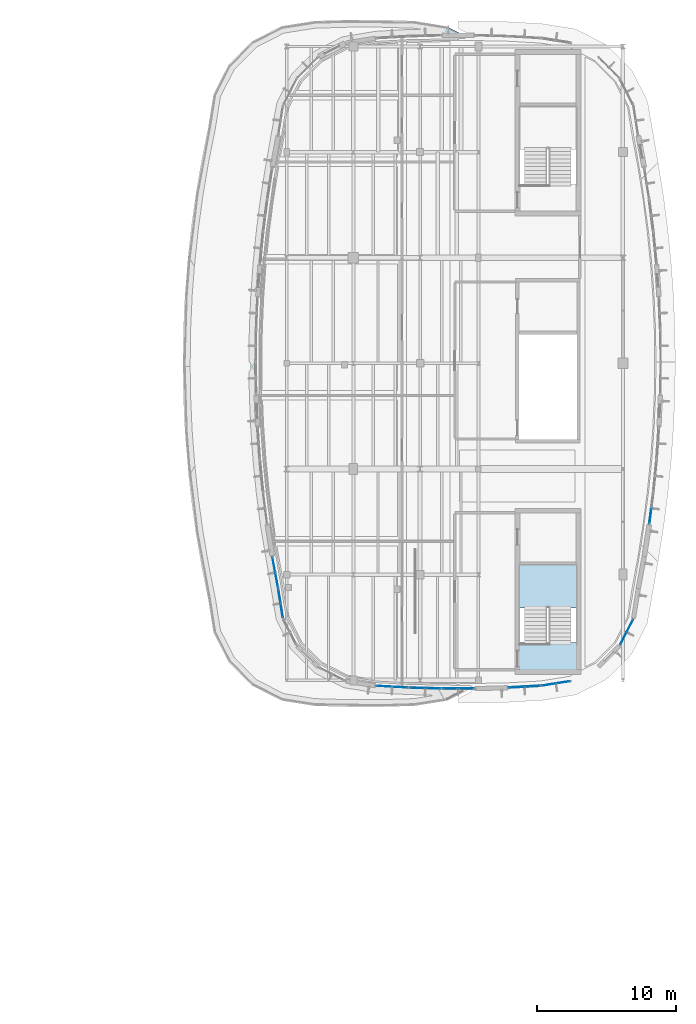
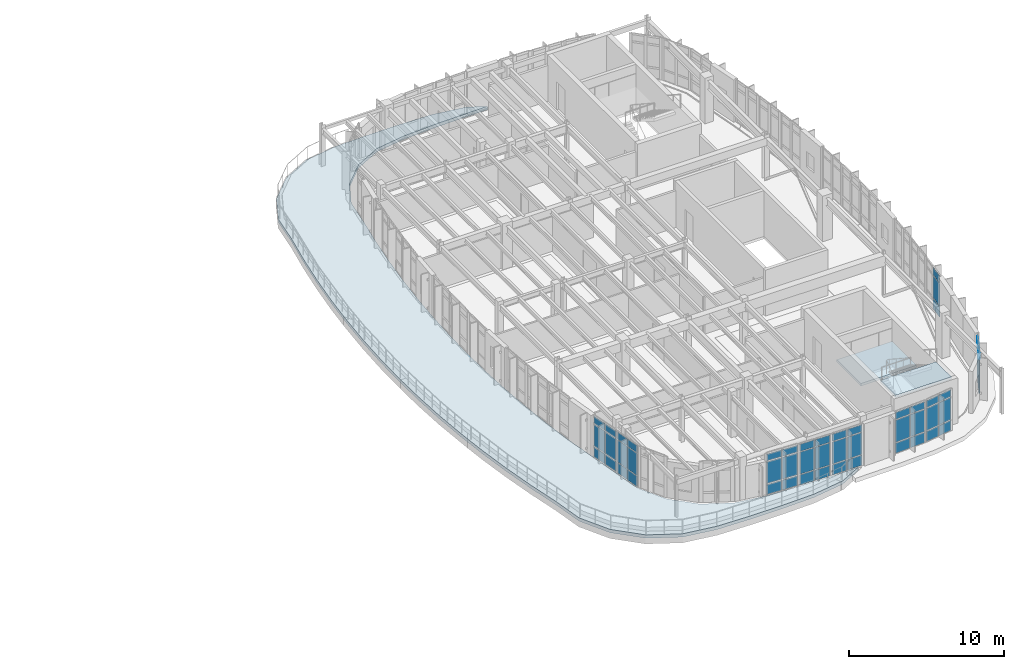
# One storey, part 19 of 30: 51 plates, 3 slabs, 10 elements without a shape of their own.
"""IFC4 building model written with IfcOpenShell, lengths in metres."""

from ifc_helpers import new_model, si_unit, direction, frame, origin, origin_2d, place, context, subcontext, project, spatial, polyline, rectangle, outline, extrude, material, layer, layer_set, type_object, element, aggregate, save


model = new_model("IFC4")

# Units and contexts
model_context = context("Model", 3, precision=1e-05, world=origin(), true_north=direction((0.0, 1.0)))
body_context = subcontext(model_context, "Body", "Model", "MODEL_VIEW")
ifc_project = project(units=[si_unit("LENGTHUNIT", "METRE"), si_unit("AREAUNIT", "SQUARE_METRE"), si_unit("VOLUMEUNIT", "CUBIC_METRE"), si_unit("PLANEANGLEUNIT", "RADIAN"), si_unit("MASSUNIT", "GRAM", prefix="KILO")], contexts=[model_context])

# Site, building, storey
site_placement = place(None, origin())
site = spatial("IfcSite", under=ifc_project, at=site_placement, CompositionType="ELEMENT")
building_placement = place(site_placement, origin())
building = spatial("IfcBuilding", under=site, at=building_placement, Name="Corveleigh Park Community Centre", CompositionType="ELEMENT")
storey_placement = place(building_placement, frame((0.0, 0.0, 12.60009765625)))
storey = spatial("IfcBuildingStorey", under=building, at=storey_placement, Name="L03", CompositionType="ELEMENT", Elevation=12.60009765625)

# Curtain wall, plates
ifc_material_1 = material(Name="Anodised aluminium 6063-T6", Category="aluminium")
curtain_wall_type = type_object("IfcCurtainWallType", Name="CW-SYS-V4-L03", PredefinedType="NOTDEFINED", material=ifc_material_1)
curtain_wall_1_placement = place(storey_placement, origin())
curtain_wall_1 = element("IfcCurtainWall", 1, at=curtain_wall_1_placement, inside=storey, type_object=curtain_wall_type, Name="V4 L03 Curtain Wall 400", PredefinedType="NOTDEFINED")
ifc_material_2 = material(Name="Low-E double glazing", Category="glass")
ifc_layer_1 = layer(ifc_material_2, 0.028076171875, Name="Low-E double glazing", Category="glass")
ifc_layer_set_1 = layer_set([ifc_layer_1], Name="Low-E double glazing")
plate_type_1 = type_object("IfcPlateType", Name="CWP-GLZ-28", PredefinedType="CURTAIN_PANEL", material=ifc_layer_set_1)
plate_1_placement = place(storey_placement, frame((152.362060546875, 58.100341796875, 0.080078125), z_axis=(0.0, 0.0, 1.0), x_axis=(-0.998406359706, 0.056433508651, 0.0)))
plate_1 = element("IfcPlate", 2, at=plate_1_placement, type_object=plate_type_1, Name="CW09 panel 1.1", PredefinedType="CURTAIN_PANEL", context=body_context, shape_type="SweptSolid", body=[
    extrude(rectangle(XDim=1.06591796875, YDim=0.028076171875, at=origin_2d()), origin(), (0.0, 0.0, 1.0), 0.780029296875),
])
plate_2_placement = place(storey_placement, frame((152.362060546875, 58.100341796875, 0.93994140625), z_axis=(0.0, 0.0, 1.0), x_axis=(-0.998406359706, 0.056433508651, 0.0)))
plate_2 = element("IfcPlate", 3, at=plate_2_placement, type_object=plate_type_1, Name="CW09 panel 1.2", PredefinedType="CURTAIN_PANEL", context=body_context, shape_type="SweptSolid", body=[
    extrude(rectangle(XDim=1.06591796875, YDim=0.028076171875, at=origin_2d()), origin(), (0.0, 0.0, 1.0), 1.70703125),
])
plate_3_placement = place(storey_placement, frame((152.362060546875, 58.100341796875, 2.72705078125), z_axis=(0.0, 0.0, 1.0), x_axis=(-0.998406359706, 0.056433508651, 0.0)))
plate_3 = element("IfcPlate", 4, at=plate_3_placement, type_object=plate_type_1, Name="CW09 panel 1.3", PredefinedType="CURTAIN_PANEL", context=body_context, shape_type="SweptSolid", body=[
    extrude(rectangle(XDim=1.06591796875, YDim=0.028076171875, at=origin_2d()), origin(), (0.0, 0.0, 1.0), 0.530029296875),
])
plate_4_placement = place(storey_placement, frame((151.222900390625, 58.164794921875, 0.080078125), z_axis=(0.0, 0.0, 1.0), x_axis=(-0.998406359706, 0.056433508651, 0.0)))
plate_4 = element("IfcPlate", 5, at=plate_4_placement, type_object=plate_type_1, Name="CW09 panel 2.1", PredefinedType="CURTAIN_PANEL", context=body_context, shape_type="SweptSolid", body=[
    extrude(rectangle(XDim=1.06591796875, YDim=0.028076171875, at=origin_2d()), origin(), (0.0, 0.0, 1.0), 0.780029296875),
])
plate_5_placement = place(storey_placement, frame((151.222900390625, 58.164794921875, 0.93994140625), z_axis=(0.0, 0.0, 1.0), x_axis=(-0.998406359706, 0.056433508651, 0.0)))
plate_5 = element("IfcPlate", 6, at=plate_5_placement, type_object=plate_type_1, Name="CW09 panel 2.2", PredefinedType="CURTAIN_PANEL", context=body_context, shape_type="SweptSolid", body=[
    extrude(rectangle(XDim=1.06591796875, YDim=0.028076171875, at=origin_2d()), origin(), (0.0, 0.0, 1.0), 1.70703125),
])
plate_6_placement = place(storey_placement, frame((151.222900390625, 58.164794921875, 2.72705078125), z_axis=(0.0, 0.0, 1.0), x_axis=(-0.998406359706, 0.056433508651, 0.0)))
plate_6 = element("IfcPlate", 7, at=plate_6_placement, type_object=plate_type_1, Name="CW09 panel 2.3", PredefinedType="CURTAIN_PANEL", context=body_context, shape_type="SweptSolid", body=[
    extrude(rectangle(XDim=1.06591796875, YDim=0.028076171875, at=origin_2d()), origin(), (0.0, 0.0, 1.0), 0.530029296875),
])
aggregate(curtain_wall_1, [plate_1, plate_2, plate_3, plate_4, plate_5, plate_6])

curtain_wall_2_placement = place(storey_placement, origin())
curtain_wall_2 = element("IfcCurtainWall", 8, at=curtain_wall_2_placement, inside=storey, type_object=curtain_wall_type, Name="V4 L03 Curtain Wall 435", PredefinedType="NOTDEFINED")
plate_7_placement = place(storey_placement, frame((143.48828125, 65.797607421875, 0.080078125), z_axis=(0.0, 0.0, 1.0), x_axis=(-0.18319789997, 0.983076054762, 0.0)))
plate_7 = element("IfcPlate", 9, at=plate_7_placement, type_object=plate_type_1, Name="CW09 panel 1.1", PredefinedType="CURTAIN_PANEL", context=body_context, shape_type="SweptSolid", body=[
    extrude(rectangle(XDim=1.0576171875, YDim=0.028076171875, at=origin_2d()), origin(), (0.0, 0.0, 1.0), 0.780029296875),
])
plate_8_placement = place(storey_placement, frame((143.48828125, 65.797607421875, 0.93994140625), z_axis=(0.0, 0.0, 1.0), x_axis=(-0.18319789997, 0.983076054762, 0.0)))
plate_8 = element("IfcPlate", 10, at=plate_8_placement, type_object=plate_type_1, Name="CW09 panel 1.2", PredefinedType="CURTAIN_PANEL", context=body_context, shape_type="SweptSolid", body=[
    extrude(rectangle(XDim=1.0576171875, YDim=0.028076171875, at=origin_2d()), origin(), (0.0, 0.0, 1.0), 1.70703125),
])
plate_9_placement = place(storey_placement, frame((143.48828125, 65.797607421875, 2.72705078125), z_axis=(0.0, 0.0, 1.0), x_axis=(-0.18319789997, 0.983076054762, 0.0)))
plate_9 = element("IfcPlate", 11, at=plate_9_placement, type_object=plate_type_1, Name="CW09 panel 1.3", PredefinedType="CURTAIN_PANEL", context=body_context, shape_type="SweptSolid", body=[
    extrude(rectangle(XDim=1.0576171875, YDim=0.028076171875, at=origin_2d()), origin(), (0.0, 0.0, 1.0), 0.530029296875),
])
plate_10_placement = place(storey_placement, frame((143.28173828125, 66.90625, 0.080078125), z_axis=(0.0, 0.0, 1.0), x_axis=(-0.18319789997, 0.983076054762, 0.0)))
plate_10 = element("IfcPlate", 12, at=plate_10_placement, type_object=plate_type_1, Name="CW09 panel 2.1", PredefinedType="CURTAIN_PANEL", context=body_context, shape_type="SweptSolid", body=[
    extrude(rectangle(XDim=1.0576171875, YDim=0.028076171875, at=origin_2d()), origin(), (0.0, 0.0, 1.0), 0.780029296875),
])
plate_11_placement = place(storey_placement, frame((143.28173828125, 66.90625, 0.93994140625), z_axis=(0.0, 0.0, 1.0), x_axis=(-0.18319789997, 0.983076054762, 0.0)))
plate_11 = element("IfcPlate", 13, at=plate_11_placement, type_object=plate_type_1, Name="CW09 panel 2.2", PredefinedType="CURTAIN_PANEL", context=body_context, shape_type="SweptSolid", body=[
    extrude(rectangle(XDim=1.0576171875, YDim=0.028076171875, at=origin_2d()), origin(), (0.0, 0.0, 1.0), 1.70703125),
])
plate_12_placement = place(storey_placement, frame((143.28173828125, 66.90625, 2.72705078125), z_axis=(0.0, 0.0, 1.0), x_axis=(-0.18319789997, 0.983076054762, 0.0)))
plate_12 = element("IfcPlate", 14, at=plate_12_placement, type_object=plate_type_1, Name="CW09 panel 2.3", PredefinedType="CURTAIN_PANEL", context=body_context, shape_type="SweptSolid", body=[
    extrude(rectangle(XDim=1.0576171875, YDim=0.028076171875, at=origin_2d()), origin(), (0.0, 0.0, 1.0), 0.530029296875),
])
aggregate(curtain_wall_2, [plate_7, plate_8, plate_9, plate_10, plate_11, plate_12])

curtain_wall_3_placement = place(storey_placement, origin())
curtain_wall_3 = element("IfcCurtainWall", 15, at=curtain_wall_3_placement, inside=storey, type_object=curtain_wall_type, Name="V4 L03 Curtain Wall 436", PredefinedType="NOTDEFINED")
plate_13_placement = place(storey_placement, frame((143.85009765625, 63.62255859375, 0.059814453125), z_axis=(0.0, 0.0, 1.0), x_axis=(-0.15682535618, 0.987626350225, 0.0)))
plate_13 = element("IfcPlate", 16, at=plate_13_placement, type_object=plate_type_1, Name="CW09 panel 1.1", PredefinedType="CURTAIN_PANEL", context=body_context, shape_type="SweptSolid", body=[
    extrude(rectangle(XDim=0.958740234375, YDim=0.028076171875, at=origin_2d()), origin(), (0.0, 0.0, 1.0), 0.81005859375),
])
plate_14_placement = place(storey_placement, frame((143.85009765625, 63.62255859375, 0.929931640625), z_axis=(0.0, 0.0, 1.0), x_axis=(-0.15682535618, 0.987626350225, 0.0)))
plate_14 = element("IfcPlate", 17, at=plate_14_placement, type_object=plate_type_1, Name="CW09 panel 1.2", PredefinedType="CURTAIN_PANEL", context=body_context, shape_type="SweptSolid", body=[
    extrude(rectangle(XDim=0.958740234375, YDim=0.028076171875, at=origin_2d()), origin(), (0.0, 0.0, 1.0), 1.72705078125),
])
plate_15_placement = place(storey_placement, frame((143.85009765625, 63.62255859375, 2.716796875), z_axis=(0.0, 0.0, 1.0), x_axis=(-0.15682535618, 0.987626350225, 0.0)))
plate_15 = element("IfcPlate", 18, at=plate_15_placement, type_object=plate_type_1, Name="CW09 panel 1.3", PredefinedType="CURTAIN_PANEL", context=body_context, shape_type="SweptSolid", body=[
    extrude(rectangle(XDim=0.958740234375, YDim=0.028076171875, at=origin_2d()), origin(), (0.0, 0.0, 1.0), 0.56005859375),
])
plate_16_placement = place(storey_placement, frame((143.68798828125, 64.6435546875, 0.059814453125), z_axis=(0.0, 0.0, 1.0), x_axis=(-0.15682535618, 0.987626350225, 0.0)))
plate_16 = element("IfcPlate", 19, at=plate_16_placement, type_object=plate_type_1, Name="CW09 panel 2.1", PredefinedType="CURTAIN_PANEL", context=body_context, shape_type="SweptSolid", body=[
    extrude(rectangle(XDim=0.958740234375, YDim=0.028076171875, at=origin_2d()), origin(), (0.0, 0.0, 1.0), 0.81005859375),
])
plate_17_placement = place(storey_placement, frame((143.68798828125, 64.6435546875, 0.929931640625), z_axis=(0.0, 0.0, 1.0), x_axis=(-0.15682535618, 0.987626350225, 0.0)))
plate_17 = element("IfcPlate", 20, at=plate_17_placement, type_object=plate_type_1, Name="CW09 panel 2.2", PredefinedType="CURTAIN_PANEL", context=body_context, shape_type="SweptSolid", body=[
    extrude(rectangle(XDim=0.958740234375, YDim=0.028076171875, at=origin_2d()), origin(), (0.0, 0.0, 1.0), 1.72705078125),
])
plate_18_placement = place(storey_placement, frame((143.68798828125, 64.6435546875, 2.716796875), z_axis=(0.0, 0.0, 1.0), x_axis=(-0.15682535618, 0.987626350225, 0.0)))
plate_18 = element("IfcPlate", 21, at=plate_18_placement, type_object=plate_type_1, Name="CW09 panel 2.3", PredefinedType="CURTAIN_PANEL", context=body_context, shape_type="SweptSolid", body=[
    extrude(rectangle(XDim=0.958740234375, YDim=0.028076171875, at=origin_2d()), origin(), (0.0, 0.0, 1.0), 0.56005859375),
])
aggregate(curtain_wall_3, [plate_13, plate_14, plate_15, plate_16, plate_17, plate_18])

curtain_wall_4_placement = place(storey_placement, origin())
curtain_wall_4 = element("IfcCurtainWall", 22, at=curtain_wall_4_placement, inside=storey, type_object=curtain_wall_type, Name="V4 L03 Curtain Wall 401", PredefinedType="NOTDEFINED")
ifc_layer_2 = layer(ifc_material_2, 0.031982421875, Name="Low-E double glazing", Category="glass")
ifc_layer_set_2 = layer_set([ifc_layer_2], Name="Low-E double glazing")
plate_type_2 = type_object("IfcPlateType", Name="CWP-GLZ-32", PredefinedType="CURTAIN_PANEL", material=ifc_layer_set_2)
plate_19_placement = place(storey_placement, frame((154.7392578125, 58.0146484375, 0.059814453125), z_axis=(0.0, 0.0, 1.0), x_axis=(-0.999586199744, 0.028765070498, 0.0)))
plate_19 = element("IfcPlate", 23, at=plate_19_placement, type_object=plate_type_2, Name="CW09 panel 1.1", PredefinedType="CURTAIN_PANEL", context=body_context, shape_type="SweptSolid", body=[
    extrude(rectangle(XDim=1.06201171875, YDim=0.031982421875, at=origin_2d()), origin(), (0.0, 0.0, 1.0), 0.81005859375),
])
plate_20_placement = place(storey_placement, frame((154.7392578125, 58.0146484375, 0.929931640625), z_axis=(0.0, 0.0, 1.0), x_axis=(-0.999586199744, 0.028765070498, 0.0)))
plate_20 = element("IfcPlate", 24, at=plate_20_placement, type_object=plate_type_2, Name="CW09 panel 1.2", PredefinedType="CURTAIN_PANEL", context=body_context, shape_type="SweptSolid", body=[
    extrude(rectangle(XDim=1.06201171875, YDim=0.031982421875, at=origin_2d()), origin(), (0.0, 0.0, 1.0), 1.72705078125),
])
plate_21_placement = place(storey_placement, frame((154.7392578125, 58.0146484375, 2.716796875), z_axis=(0.0, 0.0, 1.0), x_axis=(-0.999586199744, 0.028765070498, 0.0)))
plate_21 = element("IfcPlate", 25, at=plate_21_placement, type_object=plate_type_2, Name="CW09 panel 1.3", PredefinedType="CURTAIN_PANEL", context=body_context, shape_type="SweptSolid", body=[
    extrude(rectangle(XDim=1.06201171875, YDim=0.031982421875, at=origin_2d()), origin(), (0.0, 0.0, 1.0), 0.56005859375),
])
plate_22_placement = place(storey_placement, frame((153.59765625, 58.04736328125, 0.059814453125), z_axis=(0.0, 0.0, 1.0), x_axis=(-0.999586199744, 0.028765070498, 0.0)))
plate_22 = element("IfcPlate", 26, at=plate_22_placement, type_object=plate_type_2, Name="CW09 panel 2.1", PredefinedType="CURTAIN_PANEL", context=body_context, shape_type="SweptSolid", body=[
    extrude(rectangle(XDim=1.06201171875, YDim=0.031982421875, at=origin_2d()), origin(), (0.0, 0.0, 1.0), 0.81005859375),
])
plate_23_placement = place(storey_placement, frame((153.59765625, 58.04736328125, 0.929931640625), z_axis=(0.0, 0.0, 1.0), x_axis=(-0.999586199744, 0.028765070498, 0.0)))
plate_23 = element("IfcPlate", 27, at=plate_23_placement, type_object=plate_type_2, Name="CW09 panel 2.2", PredefinedType="CURTAIN_PANEL", context=body_context, shape_type="SweptSolid", body=[
    extrude(rectangle(XDim=1.06201171875, YDim=0.031982421875, at=origin_2d()), origin(), (0.0, 0.0, 1.0), 1.72705078125),
])
plate_24_placement = place(storey_placement, frame((153.59765625, 58.04736328125, 2.716796875), z_axis=(0.0, 0.0, 1.0), x_axis=(-0.999586199744, 0.028765070498, 0.0)))
plate_24 = element("IfcPlate", 28, at=plate_24_placement, type_object=plate_type_2, Name="CW09 panel 2.3", PredefinedType="CURTAIN_PANEL", context=body_context, shape_type="SweptSolid", body=[
    extrude(rectangle(XDim=1.06201171875, YDim=0.031982421875, at=origin_2d()), origin(), (0.0, 0.0, 1.0), 0.56005859375),
])
aggregate(curtain_wall_4, [plate_19, plate_20, plate_21, plate_22, plate_23, plate_24])

curtain_wall_5_placement = place(storey_placement, origin())
curtain_wall_5 = element("IfcCurtainWall", 29, at=curtain_wall_5_placement, inside=storey, type_object=curtain_wall_type, Name="V4 L03 Curtain Wall 402", PredefinedType="NOTDEFINED")
plate_25_placement = place(storey_placement, frame((157.11962890625, 57.9970703125, 0.06494140625), z_axis=(0.0, 0.0, 1.0), x_axis=(-1.0, 0.0, 0.0)))
plate_25 = element("IfcPlate", 30, at=plate_25_placement, type_object=plate_type_2, Name="CW09 panel 1.1", PredefinedType="CURTAIN_PANEL", context=body_context, shape_type="SweptSolid", body=[
    extrude(rectangle(XDim=1.054443359375, YDim=0.031982421875, at=origin_2d()), origin(), (0.0, 0.0, 1.0), 0.802490234375),
])
plate_26_placement = place(storey_placement, frame((157.11962890625, 57.9970703125, 0.9326171875), z_axis=(0.0, 0.0, 1.0), x_axis=(-1.0, 0.0, 0.0)))
plate_26 = element("IfcPlate", 31, at=plate_26_placement, type_object=plate_type_2, Name="CW09 panel 1.2", PredefinedType="CURTAIN_PANEL", context=body_context, shape_type="SweptSolid", body=[
    extrude(rectangle(XDim=1.054443359375, YDim=0.031982421875, at=origin_2d()), origin(), (0.0, 0.0, 1.0), 1.721923828125),
])
plate_27_placement = place(storey_placement, frame((157.11962890625, 57.9970703125, 2.71923828125), z_axis=(0.0, 0.0, 1.0), x_axis=(-1.0, 0.0, 0.0)))
plate_27 = element("IfcPlate", 32, at=plate_27_placement, type_object=plate_type_2, Name="CW09 panel 1.3", PredefinedType="CURTAIN_PANEL", context=body_context, shape_type="SweptSolid", body=[
    extrude(rectangle(XDim=1.054443359375, YDim=0.031982421875, at=origin_2d()), origin(), (0.0, 0.0, 1.0), 0.552490234375),
])
plate_28_placement = place(storey_placement, frame((155.980224609375, 57.9970703125, 0.06494140625), z_axis=(0.0, 0.0, 1.0), x_axis=(-1.0, 0.0, 0.0)))
plate_28 = element("IfcPlate", 33, at=plate_28_placement, type_object=plate_type_2, Name="CW09 panel 2.1", PredefinedType="CURTAIN_PANEL", context=body_context, shape_type="SweptSolid", body=[
    extrude(rectangle(XDim=1.054443359375, YDim=0.031982421875, at=origin_2d()), origin(), (0.0, 0.0, 1.0), 0.802490234375),
])
plate_29_placement = place(storey_placement, frame((155.980224609375, 57.9970703125, 0.9326171875), z_axis=(0.0, 0.0, 1.0), x_axis=(-1.0, 0.0, 0.0)))
plate_29 = element("IfcPlate", 34, at=plate_29_placement, type_object=plate_type_2, Name="CW09 panel 2.2", PredefinedType="CURTAIN_PANEL", context=body_context, shape_type="SweptSolid", body=[
    extrude(rectangle(XDim=1.054443359375, YDim=0.031982421875, at=origin_2d()), origin(), (0.0, 0.0, 1.0), 1.721923828125),
])
plate_30_placement = place(storey_placement, frame((155.980224609375, 57.9970703125, 2.71923828125), z_axis=(0.0, 0.0, 1.0), x_axis=(-1.0, 0.0, 0.0)))
plate_30 = element("IfcPlate", 35, at=plate_30_placement, type_object=plate_type_2, Name="CW09 panel 2.3", PredefinedType="CURTAIN_PANEL", context=body_context, shape_type="SweptSolid", body=[
    extrude(rectangle(XDim=1.054443359375, YDim=0.031982421875, at=origin_2d()), origin(), (0.0, 0.0, 1.0), 0.552490234375),
])
aggregate(curtain_wall_5, [plate_25, plate_26, plate_27, plate_28, plate_29, plate_30])

curtain_wall_6_placement = place(storey_placement, origin())
curtain_wall_6 = element("IfcCurtainWall", 36, at=curtain_wall_6_placement, inside=storey, type_object=curtain_wall_type, Name="V4 L03 Curtain Wall 403", PredefinedType="NOTDEFINED")
ifc_layer_3 = layer(ifc_material_2, 0.035888671875, Name="Low-E double glazing", Category="glass")
ifc_layer_set_3 = layer_set([ifc_layer_3], Name="Low-E double glazing")
plate_type_3 = type_object("IfcPlateType", Name="CWP-GLZ-36", PredefinedType="CURTAIN_PANEL", material=ifc_layer_set_3)
plate_31_placement = place(storey_placement, frame((161.880859375, 58.164794921875, 0.06982421875), z_axis=(0.0, 0.0, 1.0), x_axis=(-0.998406359706, -0.056433508651, 0.0)))
plate_31 = element("IfcPlate", 37, at=plate_31_placement, type_object=plate_type_3, Name="CW09 panel 1.1", PredefinedType="CURTAIN_PANEL", context=body_context, shape_type="SweptSolid", body=[
    extrude(rectangle(XDim=1.08837890625, YDim=0.035888671875, at=origin_2d()), origin(), (0.0, 0.0, 1.0), 0.794921875),
])
plate_32_placement = place(storey_placement, frame((161.880859375, 58.164794921875, 0.93505859375), z_axis=(0.0, 0.0, 1.0), x_axis=(-0.998406359706, -0.056433508651, 0.0)))
plate_32 = element("IfcPlate", 38, at=plate_32_placement, type_object=plate_type_3, Name="CW09 panel 1.2", PredefinedType="CURTAIN_PANEL", context=body_context, shape_type="SweptSolid", body=[
    extrude(rectangle(XDim=1.08837890625, YDim=0.035888671875, at=origin_2d()), origin(), (0.0, 0.0, 1.0), 1.737060546875),
])
plate_33_placement = place(storey_placement, frame((161.880859375, 58.164794921875, 2.741943359375), z_axis=(0.0, 0.0, 1.0), x_axis=(-0.998406359706, -0.056433508651, 0.0)))
plate_33 = element("IfcPlate", 39, at=plate_33_placement, type_object=plate_type_3, Name="CW09 panel 1.3", PredefinedType="CURTAIN_PANEL", context=body_context, shape_type="SweptSolid", body=[
    extrude(rectangle(XDim=1.08837890625, YDim=0.035888671875, at=origin_2d()), origin(), (0.0, 0.0, 1.0), 0.544921875),
])
plate_34_placement = place(storey_placement, frame((160.734130859375, 58.10009765625, 0.06982421875), z_axis=(0.0, 0.0, 1.0), x_axis=(-0.998406359706, -0.056433508651, 0.0)))
plate_34 = element("IfcPlate", 40, at=plate_34_placement, type_object=plate_type_3, Name="CW09 panel 2.1", PredefinedType="CURTAIN_PANEL", context=body_context, shape_type="SweptSolid", body=[
    extrude(rectangle(XDim=1.08837890625, YDim=0.035888671875, at=origin_2d()), origin(), (0.0, 0.0, 1.0), 0.794921875),
])
plate_35_placement = place(storey_placement, frame((160.734130859375, 58.10009765625, 0.93505859375), z_axis=(0.0, 0.0, 1.0), x_axis=(-0.998406359706, -0.056433508651, 0.0)))
plate_35 = element("IfcPlate", 41, at=plate_35_placement, type_object=plate_type_3, Name="CW09 panel 2.2", PredefinedType="CURTAIN_PANEL", context=body_context, shape_type="SweptSolid", body=[
    extrude(rectangle(XDim=1.08837890625, YDim=0.035888671875, at=origin_2d()), origin(), (0.0, 0.0, 1.0), 1.737060546875),
])
plate_36_placement = place(storey_placement, frame((160.734130859375, 58.10009765625, 2.741943359375), z_axis=(0.0, 0.0, 1.0), x_axis=(-0.998406359706, -0.056433508651, 0.0)))
plate_36 = element("IfcPlate", 42, at=plate_36_placement, type_object=plate_type_3, Name="CW09 panel 2.3", PredefinedType="CURTAIN_PANEL", context=body_context, shape_type="SweptSolid", body=[
    extrude(rectangle(XDim=1.08837890625, YDim=0.035888671875, at=origin_2d()), origin(), (0.0, 0.0, 1.0), 0.544921875),
])
aggregate(curtain_wall_6, [plate_31, plate_32, plate_33, plate_34, plate_35, plate_36])

curtain_wall_7_placement = place(storey_placement, origin())
curtain_wall_7 = element("IfcCurtainWall", 43, at=curtain_wall_7_placement, inside=storey, type_object=curtain_wall_type, Name="V4 L03 Curtain Wall 404", PredefinedType="NOTDEFINED")
plate_37_placement = place(storey_placement, frame((164.081787109375, 58.450927734375, 0.074951171875), z_axis=(0.0, 0.0, 1.0), x_axis=(-0.987690712768, -0.156419486996, 0.0)))
plate_37 = element("IfcPlate", 44, at=plate_37_placement, type_object=plate_type_3, Name="CW09 panel 1.1", PredefinedType="CURTAIN_PANEL", context=body_context, shape_type="SweptSolid", body=[
    extrude(rectangle(XDim=0.97021484375, YDim=0.035888671875, at=origin_2d()), origin(), (0.0, 0.0, 1.0), 0.78759765625),
])
plate_38_placement = place(storey_placement, frame((164.081787109375, 58.450927734375, 0.9375), z_axis=(0.0, 0.0, 1.0), x_axis=(-0.987690712768, -0.156419486996, 0.0)))
plate_38 = element("IfcPlate", 45, at=plate_38_placement, type_object=plate_type_3, Name="CW09 panel 1.2", PredefinedType="CURTAIN_PANEL", context=body_context, shape_type="SweptSolid", body=[
    extrude(rectangle(XDim=0.97021484375, YDim=0.035888671875, at=origin_2d()), origin(), (0.0, 0.0, 1.0), 1.73193359375),
])
plate_39_placement = place(storey_placement, frame((164.081787109375, 58.450927734375, 2.744384765625), z_axis=(0.0, 0.0, 1.0), x_axis=(-0.987690712768, -0.156419486996, 0.0)))
plate_39 = element("IfcPlate", 46, at=plate_39_placement, type_object=plate_type_3, Name="CW09 panel 1.3", PredefinedType="CURTAIN_PANEL", context=body_context, shape_type="SweptSolid", body=[
    extrude(rectangle(XDim=0.97021484375, YDim=0.035888671875, at=origin_2d()), origin(), (0.0, 0.0, 1.0), 0.53759765625),
])
plate_40_placement = place(storey_placement, frame((163.059326171875, 58.2890625, 0.074951171875), z_axis=(0.0, 0.0, 1.0), x_axis=(-0.987690712768, -0.156419486996, 0.0)))
plate_40 = element("IfcPlate", 47, at=plate_40_placement, type_object=plate_type_3, Name="CW09 panel 2.1", PredefinedType="CURTAIN_PANEL", context=body_context, shape_type="SweptSolid", body=[
    extrude(rectangle(XDim=0.97021484375, YDim=0.035888671875, at=origin_2d()), origin(), (0.0, 0.0, 1.0), 0.78759765625),
])
plate_41_placement = place(storey_placement, frame((163.059326171875, 58.2890625, 0.9375), z_axis=(0.0, 0.0, 1.0), x_axis=(-0.987690712768, -0.156419486996, 0.0)))
plate_41 = element("IfcPlate", 48, at=plate_41_placement, type_object=plate_type_3, Name="CW09 panel 2.2", PredefinedType="CURTAIN_PANEL", context=body_context, shape_type="SweptSolid", body=[
    extrude(rectangle(XDim=0.97021484375, YDim=0.035888671875, at=origin_2d()), origin(), (0.0, 0.0, 1.0), 1.73193359375),
])
plate_42_placement = place(storey_placement, frame((163.059326171875, 58.2890625, 2.744384765625), z_axis=(0.0, 0.0, 1.0), x_axis=(-0.987690712768, -0.156419486996, 0.0)))
plate_42 = element("IfcPlate", 49, at=plate_42_placement, type_object=plate_type_3, Name="CW09 panel 2.3", PredefinedType="CURTAIN_PANEL", context=body_context, shape_type="SweptSolid", body=[
    extrude(rectangle(XDim=0.97021484375, YDim=0.035888671875, at=origin_2d()), origin(), (0.0, 0.0, 1.0), 0.53759765625),
])
aggregate(curtain_wall_7, [plate_37, plate_38, plate_39, plate_40, plate_41, plate_42])

curtain_wall_8_placement = place(storey_placement, origin())
curtain_wall_8 = element("IfcCurtainWall", 50, at=curtain_wall_8_placement, inside=storey, type_object=curtain_wall_type, Name="V4 L03 Curtain Wall 405", PredefinedType="NOTDEFINED")
ifc_layer_4 = layer(ifc_material_2, 0.0400390625, Name="Low-E double glazing", Category="glass")
ifc_layer_set_4 = layer_set([ifc_layer_4], Name="Low-E double glazing")
plate_type_4 = type_object("IfcPlateType", Name="CWP-GLZ-40", PredefinedType="CURTAIN_PANEL", material=ifc_layer_set_4)
plate_43_placement = place(storey_placement, frame((168.89208984375, 62.5166015625, 0.080078125), z_axis=(0.0, 0.0, 1.0), x_axis=(-0.454202173945, -0.890898639119, 0.0)))
plate_43 = element("IfcPlate", 51, at=plate_43_placement, type_object=plate_type_4, Name="CW09 panel 1.1", PredefinedType="CURTAIN_PANEL", context=body_context, shape_type="SweptSolid", body=[
    extrude(rectangle(XDim=0.951904296875, YDim=0.0400390625, at=origin_2d()), origin(), (0.0, 0.0, 1.0), 0.780029296875),
])
plate_44_placement = place(storey_placement, frame((168.89208984375, 62.5166015625, 0.93994140625), z_axis=(0.0, 0.0, 1.0), x_axis=(-0.454202173945, -0.890898639119, 0.0)))
plate_44 = element("IfcPlate", 52, at=plate_44_placement, type_object=plate_type_4, Name="CW09 panel 1.2", PredefinedType="CURTAIN_PANEL", context=body_context, shape_type="SweptSolid", body=[
    extrude(rectangle(XDim=0.951904296875, YDim=0.0400390625, at=origin_2d()), origin(), (0.0, 0.0, 1.0), 1.72705078125),
])
plate_45_placement = place(storey_placement, frame((168.89208984375, 62.5166015625, 2.7470703125), z_axis=(0.0, 0.0, 1.0), x_axis=(-0.454202173945, -0.890898639119, 0.0)))
plate_45 = element("IfcPlate", 53, at=plate_45_placement, type_object=plate_type_4, Name="CW09 panel 1.3", PredefinedType="CURTAIN_PANEL", context=body_context, shape_type="SweptSolid", body=[
    extrude(rectangle(XDim=0.951904296875, YDim=0.0400390625, at=origin_2d()), origin(), (0.0, 0.0, 1.0), 0.530029296875),
])
plate_46_placement = place(storey_placement, frame((168.427978515625, 61.6064453125, 0.080078125), z_axis=(0.0, 0.0, 1.0), x_axis=(-0.454202173945, -0.890898639119, 0.0)))
plate_46 = element("IfcPlate", 54, at=plate_46_placement, type_object=plate_type_4, Name="CW09 panel 2.1", PredefinedType="CURTAIN_PANEL", context=body_context, shape_type="SweptSolid", body=[
    extrude(rectangle(XDim=0.951904296875, YDim=0.0400390625, at=origin_2d()), origin(), (0.0, 0.0, 1.0), 0.780029296875),
])
plate_47_placement = place(storey_placement, frame((168.427978515625, 61.6064453125, 0.93994140625), z_axis=(0.0, 0.0, 1.0), x_axis=(-0.454202173945, -0.890898639119, 0.0)))
plate_47 = element("IfcPlate", 55, at=plate_47_placement, type_object=plate_type_4, Name="CW09 panel 2.2", PredefinedType="CURTAIN_PANEL", context=body_context, shape_type="SweptSolid", body=[
    extrude(rectangle(XDim=0.951904296875, YDim=0.0400390625, at=origin_2d()), origin(), (0.0, 0.0, 1.0), 1.72705078125),
])
plate_48_placement = place(storey_placement, frame((168.427978515625, 61.6064453125, 2.7470703125), z_axis=(0.0, 0.0, 1.0), x_axis=(-0.454202173945, -0.890898639119, 0.0)))
plate_48 = element("IfcPlate", 56, at=plate_48_placement, type_object=plate_type_4, Name="CW09 panel 2.3", PredefinedType="CURTAIN_PANEL", context=body_context, shape_type="SweptSolid", body=[
    extrude(rectangle(XDim=0.951904296875, YDim=0.0400390625, at=origin_2d()), origin(), (0.0, 0.0, 1.0), 0.530029296875),
])
aggregate(curtain_wall_8, [plate_43, plate_44, plate_45, plate_46, plate_47, plate_48])

curtain_wall_9_placement = place(storey_placement, origin())
curtain_wall_9 = element("IfcCurtainWall", 57, at=curtain_wall_9_placement, inside=storey, type_object=curtain_wall_type, Name="V4 L03 Curtain Wall 406", PredefinedType="NOTDEFINED")
plate_49_placement = place(storey_placement, frame((170.372314453125, 70.42333984375, 0.059814453125), z_axis=(0.0, 0.0, 1.0), x_axis=(-0.127261927639, -0.991869145489, 0.0)))
plate_49 = element("IfcPlate", 58, at=plate_49_placement, type_object=plate_type_4, Name="CW09 panel 2.1", PredefinedType="CURTAIN_PANEL", context=body_context, shape_type="SweptSolid", body=[
    extrude(rectangle(XDim=1.050537109375, YDim=0.0400390625, at=origin_2d()), origin(), (0.0, 0.0, 1.0), 0.81005859375),
])
plate_50_placement = place(storey_placement, frame((170.372314453125, 70.42333984375, 0.929931640625), z_axis=(0.0, 0.0, 1.0), x_axis=(-0.127261927639, -0.991869145489, 0.0)))
plate_50 = element("IfcPlate", 59, at=plate_50_placement, type_object=plate_type_4, Name="CW09 panel 2.2", PredefinedType="CURTAIN_PANEL", context=body_context, shape_type="SweptSolid", body=[
    extrude(rectangle(XDim=1.050537109375, YDim=0.0400390625, at=origin_2d()), origin(), (0.0, 0.0, 1.0), 1.7470703125),
])
plate_51_placement = place(storey_placement, frame((170.372314453125, 70.42333984375, 2.73681640625), z_axis=(0.0, 0.0, 1.0), x_axis=(-0.127261927639, -0.991869145489, 0.0)))
plate_51 = element("IfcPlate", 60, at=plate_51_placement, type_object=plate_type_4, Name="CW09 panel 2.3", PredefinedType="CURTAIN_PANEL", context=body_context, shape_type="SweptSolid", body=[
    extrude(rectangle(XDim=1.050537109375, YDim=0.0400390625, at=origin_2d()), origin(), (0.0, 0.0, 1.0), 0.56005859375),
])
aggregate(curtain_wall_9, [plate_49, plate_50, plate_51])

# Stair, slabs
ifc_material_3 = material(Name="Concrete C32/40", Category="concrete")
stair_type = type_object("IfcStairType", Name="STR-HT-1600-360", PredefinedType="USERDEFINED", material=ifc_material_3)
stair_placement = place(storey_placement, origin())
stair = element("IfcStair", 61, at=stair_placement, inside=storey, type_object=stair_type, Name="Protected escape stair ST1 (L03 to L04)", ObjectType="TWO_RETURN_STAIR", PredefinedType="USERDEFINED")
ifc_layer_5 = layer(ifc_material_3, 0.18798828125, Name="Concrete C32/40", Category="concrete")
ifc_layer_set_5 = layer_set([ifc_layer_5], Name="Concrete C32/40")
slab_type_1 = type_object("IfcSlabType", Name="SLB-LND-188", PredefinedType="LANDING", material=ifc_layer_set_5)
slab_1_placement = place(storey_placement, frame((0.0, 0.0, 1.61181640625)))
slab_1 = element("IfcSlab", 62, at=slab_1_placement, type_object=slab_type_1, Name="ST1 half landing", PredefinedType="LANDING", context=body_context, shape_type="SweptSolid", body=[
    extrude(outline(polyline([(160.927001953125, 63.81005859375), (165.072998046875, 63.81005859375), (165.072998046875, 66.923095703125), (160.927001953125, 66.923095703125), (160.927001953125, 63.81005859375)])), origin(), (0.0, 0.0, 1.0), 0.18798828125),
])
slab_2_placement = place(storey_placement, frame((0.0, 0.0, 3.411865234375)))
slab_2 = element("IfcSlab", 63, at=slab_2_placement, type_object=slab_type_1, Name="ST1 upper landing", PredefinedType="LANDING", context=body_context, shape_type="SweptSolid", body=[
    extrude(outline(polyline([(160.927001953125, 59.326904296875), (165.072998046875, 59.326904296875), (165.072998046875, 61.300048828125), (160.927001953125, 61.300048828125), (160.927001953125, 59.326904296875)])), origin(), (0.0, 0.0, 1.0), 0.18798828125),
])
aggregate(stair, [slab_1, slab_2])

# Slab
ifc_layer_6 = layer(ifc_material_3, 0.2548828125, Name="Concrete C32/40", Category="concrete")
ifc_layer_set_6 = layer_set([ifc_layer_6], Name="Concrete C32/40")
slab_type_2 = type_object("IfcSlabType", Name="SLB-TER-255", PredefinedType="FLOOR", material=ifc_layer_set_6)
slab_3_placement = place(storey_placement, frame((0.0, 0.0, -0.255126953125)))
element("IfcSlab", 64, at=slab_3_placement, inside=storey, type_object=slab_type_2, Name="Step 3 Craft and Study Terrace bay 1", PredefinedType="FLOOR", context=body_context, shape_type="SweptSolid", body=[
    extrude(outline(polyline([(155.7490234375, 57.172119140625), (153.39990234375, 56.800048828125), (151.0, 56.72900390625), (148.60009765625, 56.72900390625), (146.199951171875, 56.800048828125), (143.85107421875, 57.172119140625), (141.73291015625, 58.2509765625), (140.051025390625, 59.93310546875), (138.971923828125, 62.051025390625), (138.60009765625, 64.39990234375), (138.115966796875, 66.799072265625), (137.7060546875, 69.2109375), (137.3701171875, 71.635009765625), (137.10791015625, 74.069091796875), (136.9208984375, 76.509033203125), (136.80908203125, 78.952880859375), (136.77099609375, 81.39990234375), (136.80908203125, 83.846923828125), (136.9208984375, 86.291015625), (137.10791015625, 88.73095703125), (137.3701171875, 91.1650390625), (137.7060546875, 93.589111328125), (138.115966796875, 96.0009765625), (138.60009765625, 98.39990234375), (138.971923828125, 100.7490234375), (140.051025390625, 102.866943359375), (141.73291015625, 104.549072265625), (143.85107421875, 105.6279296875), (146.199951171875, 106.0), (148.60009765625, 106.071044921875), (151.0, 106.071044921875), (153.39990234375, 106.0), (155.7490234375, 105.6279296875), (156.946044921875, 105.01806640625), (152.97802734375, 104.949951171875), (150.59912109375, 104.81494140625), (148.43310546875, 104.470947265625), (146.47705078125, 103.47509765625), (144.924072265625, 101.922119140625), (143.928955078125, 99.967041015625), (143.5849609375, 97.802978515625), (143.155029296875, 95.498046875), (142.7900390625, 93.18310546875), (142.491943359375, 90.85693359375), (142.259033203125, 88.52392578125), (142.093017578125, 86.18603515625), (141.992919921875, 83.843994140625), (141.9599609375, 81.5), (141.992919921875, 79.156005859375), (142.093017578125, 76.81396484375), (142.259033203125, 74.47607421875), (142.491943359375, 72.14306640625), (142.7900390625, 69.81689453125), (143.928955078125, 63.032958984375), (144.924072265625, 61.0791015625), (146.47705078125, 59.52490234375), (148.43310546875, 58.529052734375), (150.59912109375, 58.18505859375), (152.97802734375, 58.050048828125), (155.35888671875, 57.98193359375), (157.339111328125, 57.98193359375), (155.7490234375, 57.172119140625)])), origin(), (0.0, 0.0, 1.0), 0.255126953125),
])

save(model, "model.ifc")
